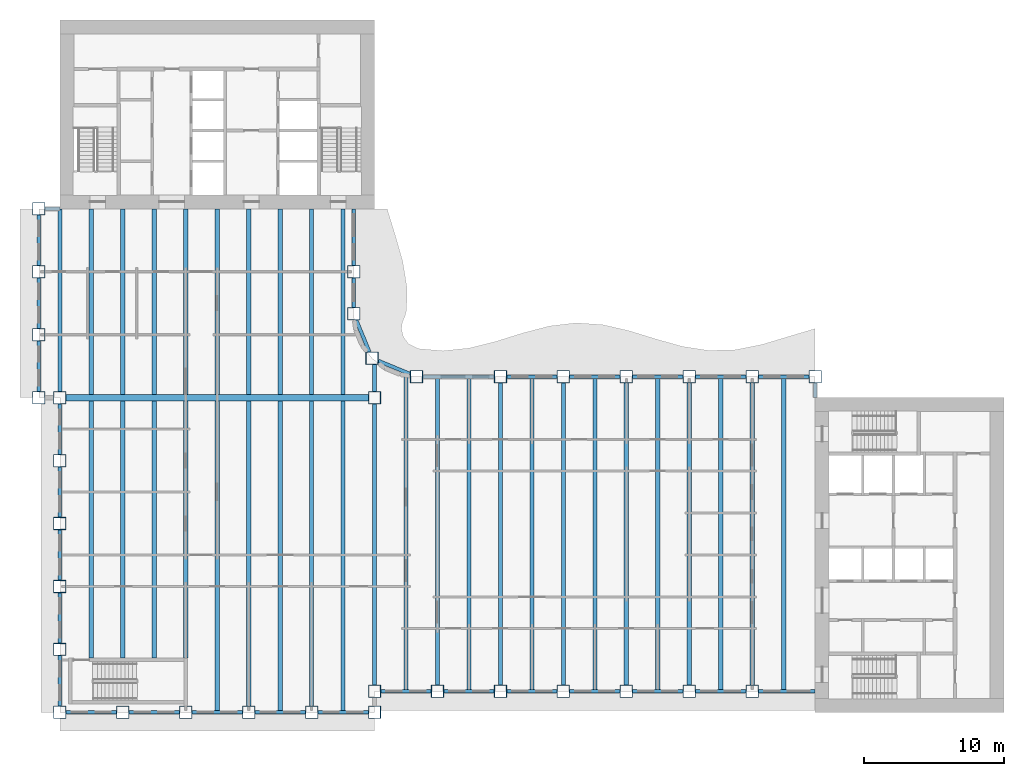
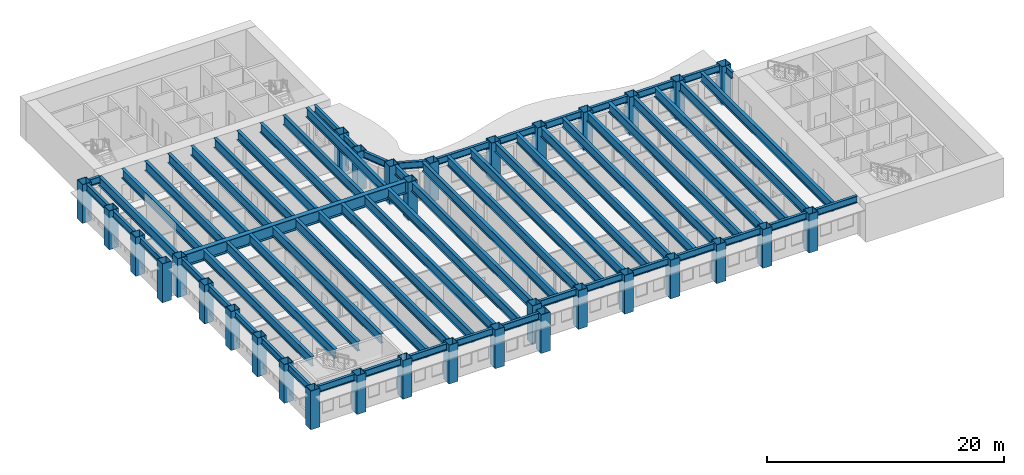
# One storey, part 1 of 16: 67 beams, 33 columns.
"""IFC4 building model written with IfcOpenShell, lengths in metres."""

from ifc_helpers import new_model, si_unit, direction, frame, origin, origin_2d, place, context, subcontext, project, spatial, hollow_rectangle, i_section, extrude, material, material_profile, profile_set, type_object, element, save


model = new_model("IFC4")

# Units and contexts
model_context = context("Model", 3, precision=1e-05, world=origin(), true_north=direction((0.0, 1.0)))
body_context = subcontext(model_context, "Body", "Model", "MODEL_VIEW")
ifc_project = project(units=[si_unit("LENGTHUNIT", "METRE"), si_unit("AREAUNIT", "SQUARE_METRE"), si_unit("VOLUMEUNIT", "CUBIC_METRE"), si_unit("PLANEANGLEUNIT", "RADIAN"), si_unit("MASSUNIT", "GRAM", prefix="KILO")], contexts=[model_context])

# Site, building, storey
site_placement = place(None, origin())
site = spatial("IfcSite", under=ifc_project, at=site_placement, CompositionType="ELEMENT")
building_placement = place(site_placement, origin())
building = spatial("IfcBuilding", under=site, at=building_placement, Name="Sennacour Bend Tower", CompositionType="ELEMENT")
storey_placement = place(building_placement, frame((0.0, 0.0, 163.0)))
storey = spatial("IfcBuildingStorey", under=building, at=storey_placement, Name="L37", CompositionType="ELEMENT", Elevation=163.0)

# Columns
ifc_material_1 = material(Name="Steel ASTM A572 Grade 50", Category="steel")
ifc_material_profile_1 = material_profile(ifc_material_1, hollow_rectangle(XDim=0.89990234375, YDim=0.89990234375, WallThickness=0.044921875, at=origin_2d()), Name="Steel ASTM A572 Grade 50", Category="steel")
ifc_profile_set_1 = profile_set([ifc_material_profile_1], Name="Steel ASTM A572 Grade 50")
column_type = type_object("IfcColumnType", Name="Box column 900", PredefinedType="COLUMN", material=ifc_profile_set_1)
for number, where, z_axis, x_axis, name in (
    (1, (-1.5, 22.5, -0.14990234375), (0.0, 0.0, 1.0), (1.0, 0.0, 0.0), "Perimeter column C3 L37-001"),
    (2, (-1.5, 27.0, -0.14990234375), (0.0, 0.0, 1.0), (1.0, 0.0, 0.0), "Perimeter column C3 L37-002"),
    (3, (-1.5, 31.5, -0.14990234375), (0.0, 0.0, 1.0), (1.0, 0.0, 0.0), "Perimeter column C3 L37-003"),
    (4, (-1.5, 36.0, -0.14990234375), (0.0, 0.0, 1.0), (1.0, 0.0, 0.0), "Perimeter column C3 L37-004"),
    (5, (0.0, 0.0, -0.14990234375), (0.0, 0.0, 1.0), (1.0, 0.0, 0.0), "Perimeter column C3 L37-005"),
    (6, (0.0, 4.5, -0.14990234375), (0.0, 0.0, 1.0), (1.0, 0.0, 0.0), "Perimeter column C3 L37-006"),
    (7, (0.0, 9.0, -0.14990234375), (0.0, 0.0, 1.0), (1.0, 0.0, 0.0), "Perimeter column C3 L37-007"),
    (8, (0.0, 13.5, -0.14990234375), (0.0, 0.0, 1.0), (1.0, 0.0, 0.0), "Perimeter column C3 L37-008"),
    (9, (0.0, 18.0, -0.14990234375), (0.0, 0.0, 1.0), (1.0, 0.0, 0.0), "Perimeter column C3 L37-009"),
    (10, (0.0, 22.5, -0.14990234375), (0.0, 0.0, 1.0), (1.0, 0.0, 0.0), "Perimeter column C3 L37-010"),
    (11, (4.5, 0.0, -0.14990234375), (0.0, 0.0, 1.0), (1.0, 0.0, 0.0), "Perimeter column C3 L37-011"),
    (12, (9.0, 0.0, -0.14990234375), (0.0, 0.0, 1.0), (1.0, 0.0, 0.0), "Perimeter column C3 L37-012"),
    (13, (13.5, 0.0, -0.14990234375), (0.0, 0.0, 1.0), (1.0, 0.0, 0.0), "Perimeter column C3 L37-013"),
    (14, (18.0, 0.0, -0.14990234375), (0.0, 0.0, 1.0), (1.0, 0.0, 0.0), "Perimeter column C3 L37-014"),
    (15, (21.0, 28.5, -0.14990234375), (0.0, 0.0, 1.0), (1.0, 0.0, 0.0), "Perimeter column C3 L37-015"),
    (16, (21.0, 31.5, -0.14990234375), (0.0, 0.0, 1.0), (1.0, 0.0, 0.0), "Perimeter column C3 L37-016"),
    (17, (22.318115234375, 25.318115234375, -0.14990234375), (0.0, 0.0, 1.0), (1.0, 0.0, 0.0), "Perimeter column C3 L37-017"),
    (18, (22.5, 0.0, -0.14990234375), (0.0, 0.0, 1.0), (1.0, 0.0, 0.0), "Perimeter column C3 L37-018"),
    (19, (22.5, 1.5, -0.14990234375), (0.0, 0.0, 1.0), (1.0, 0.0, 0.0), "Perimeter column C3 L37-019"),
    (20, (22.5, 22.5, -0.14990234375), (0.0, 0.0, 1.0), (1.0, 0.0, 0.0), "Knuckle column C3 L37-020"),
    (21, (25.5, 24.0, -0.14990234375), (0.0, 0.0, 1.0), (1.0, 0.0, 0.0), "Perimeter column C3 L37-021"),
    (22, (27.0, 1.5, -0.14990234375), (0.0, 0.0, 1.0), (1.0, 0.0, 0.0), "Perimeter column C3 L37-022"),
    (23, (31.5, 1.5, -0.14990234375), (0.0, 0.0, 1.0), (1.0, 0.0, 0.0), "Perimeter column C3 L37-023"),
    (24, (31.5, 24.0, -0.14990234375), (0.0, 0.0, 1.0), (1.0, 0.0, 0.0), "Perimeter column C3 L37-024"),
    (25, (36.0, 1.5, -0.14990234375), (0.0, 0.0, 1.0), (1.0, 0.0, 0.0), "Perimeter column C3 L37-025"),
    (26, (36.0, 24.0, -0.14990234375), (0.0, 0.0, 1.0), (1.0, 0.0, 0.0), "Perimeter column C3 L37-026"),
    (27, (40.5, 1.5, -0.14990234375), (0.0, 0.0, 1.0), (1.0, 0.0, 0.0), "Perimeter column C3 L37-027"),
    (28, (40.5, 24.0, -0.14990234375), (0.0, 0.0, 1.0), (1.0, 0.0, 0.0), "Perimeter column C3 L37-028"),
    (29, (45.0, 1.5, -0.14990234375), (0.0, 0.0, 1.0), (1.0, 0.0, 0.0), "Perimeter column C3 L37-029"),
    (30, (45.0, 24.0, -0.14990234375), (0.0, 0.0, 1.0), (1.0, 0.0, 0.0), "Perimeter column C3 L37-030"),
    (31, (49.5, 1.5, -0.14990234375), (0.0, 0.0, 1.0), (1.0, 0.0, 0.0), "Perimeter column C3 L37-031"),
    (32, (49.5, 24.0, -0.14990234375), (0.0, 0.0, 1.0), (1.0, 0.0, 0.0), "Perimeter column C3 L37-032"),
    (33, (54.0, 24.0, -0.14990234375), (0.0, 0.0, 1.0), (1.0, 0.0, 0.0), "Perimeter column C3 L37-033"),
):
    element("IfcColumn", number, at=place(storey_placement, frame(where, z_axis=z_axis, x_axis=x_axis)), inside=storey, type_object=column_type, Name=name, PredefinedType="COLUMN", context=body_context, shape_type="SweptSolid", body=[
        extrude(hollow_rectangle(XDim=0.89990234375, YDim=0.89990234375, WallThickness=0.044921875, at=origin_2d()), origin(), (0.0, 0.0, 1.0), 4.0),
    ])

# Beams
ifc_material_2 = material(Name="Steel ASTM A992 Grade 50", Category="steel")
ifc_material_profile_2 = material_profile(ifc_material_2, i_section(OverallWidth=0.300048828125, OverallDepth=0.97998046875, WebThickness=0.0166015625, FlangeThickness=0.026123046875, FilletRadius=0.02978515625, at=origin_2d()), Name="Steel ASTM A992 Grade 50", Category="steel")
ifc_profile_set_2 = profile_set([ifc_material_profile_2], Name="Steel ASTM A992 Grade 50")
beam_type_1 = type_object("IfcBeamType", Name="Floor beam W1000X249", PredefinedType="BEAM", material=ifc_profile_set_2)
beam_1_placement = place(storey_placement, frame((0.0, 22.949951171875, 3.360107421875), z_axis=(0.0, 1.0, 0.0), x_axis=(-1.0, 0.0, 0.0)))
element("IfcBeam", 34, at=beam_1_placement, inside=storey, type_object=beam_type_1, Name="Floor beam FBM2 L38-001", PredefinedType="BEAM", context=body_context, shape_type="SweptSolid", body=[
    extrude(i_section(OverallWidth=0.300048828125, OverallDepth=0.97998046875, WebThickness=0.0166015625, FlangeThickness=0.026123046875, FilletRadius=0.02978515625, at=origin_2d()), origin(), (0.0, 0.0, 1.0), 13.050048828125),
])
beam_2_placement = place(storey_placement, frame((2.25, 3.875, 3.360107421875), z_axis=(0.0, 1.0, 0.0), x_axis=(-1.0, 0.0, 0.0)))
element("IfcBeam", 35, at=beam_2_placement, inside=storey, type_object=beam_type_1, Name="Floor beam FBM2 L38-002", PredefinedType="BEAM", context=body_context, shape_type="SweptSolid", body=[
    extrude(i_section(OverallWidth=0.300048828125, OverallDepth=0.97998046875, WebThickness=0.0166015625, FlangeThickness=0.026123046875, FilletRadius=0.02978515625, at=origin_2d()), origin(), (0.0, 0.0, 1.0), 18.39990234375),
])
beam_3_placement = place(storey_placement, frame((2.25, 22.72509765625, 3.360107421875), z_axis=(0.0, 1.0, 0.0), x_axis=(-1.0, 0.0, 0.0)))
element("IfcBeam", 36, at=beam_3_placement, inside=storey, type_object=beam_type_1, Name="Floor beam FBM2 L38-003", PredefinedType="BEAM", context=body_context, shape_type="SweptSolid", body=[
    extrude(i_section(OverallWidth=0.300048828125, OverallDepth=0.97998046875, WebThickness=0.0166015625, FlangeThickness=0.026123046875, FilletRadius=0.02978515625, at=origin_2d()), origin(), (0.0, 0.0, 1.0), 13.27490234375),
])
beam_4_placement = place(storey_placement, frame((4.5, 3.875, 3.360107421875), z_axis=(0.0, 1.0, 0.0), x_axis=(-1.0, 0.0, 0.0)))
element("IfcBeam", 37, at=beam_4_placement, inside=storey, type_object=beam_type_1, Name="Floor beam FBM2 L38-004", PredefinedType="BEAM", context=body_context, shape_type="SweptSolid", body=[
    extrude(i_section(OverallWidth=0.300048828125, OverallDepth=0.97998046875, WebThickness=0.0166015625, FlangeThickness=0.026123046875, FilletRadius=0.02978515625, at=origin_2d()), origin(), (0.0, 0.0, 1.0), 18.39990234375),
])
beam_5_placement = place(storey_placement, frame((4.5, 22.72509765625, 3.360107421875), z_axis=(0.0, 1.0, 0.0), x_axis=(-1.0, 0.0, 0.0)))
element("IfcBeam", 38, at=beam_5_placement, inside=storey, type_object=beam_type_1, Name="Floor beam FBM2 L38-005", PredefinedType="BEAM", context=body_context, shape_type="SweptSolid", body=[
    extrude(i_section(OverallWidth=0.300048828125, OverallDepth=0.97998046875, WebThickness=0.0166015625, FlangeThickness=0.026123046875, FilletRadius=0.02978515625, at=origin_2d()), origin(), (0.0, 0.0, 1.0), 13.27490234375),
])
beam_6_placement = place(storey_placement, frame((6.75, 3.875, 3.360107421875), z_axis=(0.0, 1.0, 0.0), x_axis=(-1.0, 0.0, 0.0)))
element("IfcBeam", 39, at=beam_6_placement, inside=storey, type_object=beam_type_1, Name="Floor beam FBM2 L38-006", PredefinedType="BEAM", context=body_context, shape_type="SweptSolid", body=[
    extrude(i_section(OverallWidth=0.300048828125, OverallDepth=0.97998046875, WebThickness=0.0166015625, FlangeThickness=0.026123046875, FilletRadius=0.02978515625, at=origin_2d()), origin(), (0.0, 0.0, 1.0), 18.39990234375),
])
beam_7_placement = place(storey_placement, frame((6.75, 22.72509765625, 3.360107421875), z_axis=(0.0, 1.0, 0.0), x_axis=(-1.0, 0.0, 0.0)))
element("IfcBeam", 40, at=beam_7_placement, inside=storey, type_object=beam_type_1, Name="Floor beam FBM2 L38-007", PredefinedType="BEAM", context=body_context, shape_type="SweptSolid", body=[
    extrude(i_section(OverallWidth=0.300048828125, OverallDepth=0.97998046875, WebThickness=0.0166015625, FlangeThickness=0.026123046875, FilletRadius=0.02978515625, at=origin_2d()), origin(), (0.0, 0.0, 1.0), 13.27490234375),
])
beam_8_placement = place(storey_placement, frame((9.0, 3.875, 3.360107421875), z_axis=(0.0, 1.0, 0.0), x_axis=(-1.0, 0.0, 0.0)))
element("IfcBeam", 41, at=beam_8_placement, inside=storey, type_object=beam_type_1, Name="Floor beam FBM2 L38-008", PredefinedType="BEAM", context=body_context, shape_type="SweptSolid", body=[
    extrude(i_section(OverallWidth=0.300048828125, OverallDepth=0.97998046875, WebThickness=0.0166015625, FlangeThickness=0.026123046875, FilletRadius=0.02978515625, at=origin_2d()), origin(), (0.0, 0.0, 1.0), 18.39990234375),
])
beam_9_placement = place(storey_placement, frame((9.0, 22.72509765625, 3.360107421875), z_axis=(0.0, 1.0, 0.0), x_axis=(-1.0, 0.0, 0.0)))
element("IfcBeam", 42, at=beam_9_placement, inside=storey, type_object=beam_type_1, Name="Floor beam FBM2 L38-009", PredefinedType="BEAM", context=body_context, shape_type="SweptSolid", body=[
    extrude(i_section(OverallWidth=0.300048828125, OverallDepth=0.97998046875, WebThickness=0.0166015625, FlangeThickness=0.026123046875, FilletRadius=0.02978515625, at=origin_2d()), origin(), (0.0, 0.0, 1.0), 13.27490234375),
])
beam_10_placement = place(storey_placement, frame((11.25, 0.126953125, 3.360107421875), z_axis=(0.0, 1.0, 0.0), x_axis=(-1.0, 0.0, 0.0)))
element("IfcBeam", 43, at=beam_10_placement, inside=storey, type_object=beam_type_1, Name="Floor beam FBM2 L38-010", PredefinedType="BEAM", context=body_context, shape_type="SweptSolid", body=[
    extrude(i_section(OverallWidth=0.300048828125, OverallDepth=0.97998046875, WebThickness=0.0166015625, FlangeThickness=0.026123046875, FilletRadius=0.02978515625, at=origin_2d()), origin(), (0.0, 0.0, 1.0), 22.14794921875),
])
beam_11_placement = place(storey_placement, frame((11.25, 22.72509765625, 3.360107421875), z_axis=(0.0, 1.0, 0.0), x_axis=(-1.0, 0.0, 0.0)))
element("IfcBeam", 44, at=beam_11_placement, inside=storey, type_object=beam_type_1, Name="Floor beam FBM2 L38-011", PredefinedType="BEAM", context=body_context, shape_type="SweptSolid", body=[
    extrude(i_section(OverallWidth=0.300048828125, OverallDepth=0.97998046875, WebThickness=0.0166015625, FlangeThickness=0.026123046875, FilletRadius=0.02978515625, at=origin_2d()), origin(), (0.0, 0.0, 1.0), 13.27490234375),
])
beam_12_placement = place(storey_placement, frame((13.5, 0.449951171875, 3.360107421875), z_axis=(0.0, 1.0, 0.0), x_axis=(-1.0, 0.0, 0.0)))
element("IfcBeam", 45, at=beam_12_placement, inside=storey, type_object=beam_type_1, Name="Floor beam FBM2 L38-012", PredefinedType="BEAM", context=body_context, shape_type="SweptSolid", body=[
    extrude(i_section(OverallWidth=0.300048828125, OverallDepth=0.97998046875, WebThickness=0.0166015625, FlangeThickness=0.026123046875, FilletRadius=0.02978515625, at=origin_2d()), origin(), (0.0, 0.0, 1.0), 21.824951171875),
])
beam_13_placement = place(storey_placement, frame((13.5, 22.72509765625, 3.360107421875), z_axis=(0.0, 1.0, 0.0), x_axis=(-1.0, 0.0, 0.0)))
element("IfcBeam", 46, at=beam_13_placement, inside=storey, type_object=beam_type_1, Name="Floor beam FBM2 L38-013", PredefinedType="BEAM", context=body_context, shape_type="SweptSolid", body=[
    extrude(i_section(OverallWidth=0.300048828125, OverallDepth=0.97998046875, WebThickness=0.0166015625, FlangeThickness=0.026123046875, FilletRadius=0.02978515625, at=origin_2d()), origin(), (0.0, 0.0, 1.0), 13.27490234375),
])
beam_14_placement = place(storey_placement, frame((15.75, 0.126953125, 3.360107421875), z_axis=(0.0, 1.0, 0.0), x_axis=(-1.0, 0.0, 0.0)))
element("IfcBeam", 47, at=beam_14_placement, inside=storey, type_object=beam_type_1, Name="Floor beam FBM2 L38-014", PredefinedType="BEAM", context=body_context, shape_type="SweptSolid", body=[
    extrude(i_section(OverallWidth=0.300048828125, OverallDepth=0.97998046875, WebThickness=0.0166015625, FlangeThickness=0.026123046875, FilletRadius=0.02978515625, at=origin_2d()), origin(), (0.0, 0.0, 1.0), 22.14794921875),
])
beam_15_placement = place(storey_placement, frame((15.75, 22.72509765625, 3.360107421875), z_axis=(0.0, 1.0, 0.0), x_axis=(-1.0, 0.0, 0.0)))
element("IfcBeam", 48, at=beam_15_placement, inside=storey, type_object=beam_type_1, Name="Floor beam FBM2 L38-015", PredefinedType="BEAM", context=body_context, shape_type="SweptSolid", body=[
    extrude(i_section(OverallWidth=0.300048828125, OverallDepth=0.97998046875, WebThickness=0.0166015625, FlangeThickness=0.026123046875, FilletRadius=0.02978515625, at=origin_2d()), origin(), (0.0, 0.0, 1.0), 13.27490234375),
])
beam_16_placement = place(storey_placement, frame((18.0, 0.449951171875, 3.360107421875), z_axis=(0.0, 1.0, 0.0), x_axis=(-1.0, 0.0, 0.0)))
element("IfcBeam", 49, at=beam_16_placement, inside=storey, type_object=beam_type_1, Name="Floor beam FBM2 L38-016", PredefinedType="BEAM", context=body_context, shape_type="SweptSolid", body=[
    extrude(i_section(OverallWidth=0.300048828125, OverallDepth=0.97998046875, WebThickness=0.0166015625, FlangeThickness=0.026123046875, FilletRadius=0.02978515625, at=origin_2d()), origin(), (0.0, 0.0, 1.0), 21.824951171875),
])
beam_17_placement = place(storey_placement, frame((18.0, 22.72509765625, 3.360107421875), z_axis=(0.0, 1.0, 0.0), x_axis=(-1.0, 0.0, 0.0)))
element("IfcBeam", 50, at=beam_17_placement, inside=storey, type_object=beam_type_1, Name="Floor beam FBM2 L38-017", PredefinedType="BEAM", context=body_context, shape_type="SweptSolid", body=[
    extrude(i_section(OverallWidth=0.300048828125, OverallDepth=0.97998046875, WebThickness=0.0166015625, FlangeThickness=0.026123046875, FilletRadius=0.02978515625, at=origin_2d()), origin(), (0.0, 0.0, 1.0), 13.27490234375),
])
beam_18_placement = place(storey_placement, frame((20.25, 0.126953125, 3.360107421875), z_axis=(0.0, 1.0, 0.0), x_axis=(-1.0, 0.0, 0.0)))
element("IfcBeam", 51, at=beam_18_placement, inside=storey, type_object=beam_type_1, Name="Floor beam FBM2 L38-018", PredefinedType="BEAM", context=body_context, shape_type="SweptSolid", body=[
    extrude(i_section(OverallWidth=0.300048828125, OverallDepth=0.97998046875, WebThickness=0.0166015625, FlangeThickness=0.026123046875, FilletRadius=0.02978515625, at=origin_2d()), origin(), (0.0, 0.0, 1.0), 22.14794921875),
])
beam_19_placement = place(storey_placement, frame((20.25, 22.72509765625, 3.360107421875), z_axis=(0.0, 1.0, 0.0), x_axis=(-1.0, 0.0, 0.0)))
element("IfcBeam", 52, at=beam_19_placement, inside=storey, type_object=beam_type_1, Name="Floor beam FBM2 L38-019", PredefinedType="BEAM", context=body_context, shape_type="SweptSolid", body=[
    extrude(i_section(OverallWidth=0.300048828125, OverallDepth=0.97998046875, WebThickness=0.0166015625, FlangeThickness=0.026123046875, FilletRadius=0.02978515625, at=origin_2d()), origin(), (0.0, 0.0, 1.0), 13.27490234375),
])
beam_20_placement = place(storey_placement, frame((22.5, 1.949951171875, 3.360107421875), z_axis=(0.0, 1.0, 0.0), x_axis=(-1.0, 0.0, 0.0)))
element("IfcBeam", 53, at=beam_20_placement, inside=storey, type_object=beam_type_1, Name="Floor beam FBM2 L38-020", PredefinedType="BEAM", context=body_context, shape_type="SweptSolid", body=[
    extrude(i_section(OverallWidth=0.300048828125, OverallDepth=0.97998046875, WebThickness=0.0166015625, FlangeThickness=0.026123046875, FilletRadius=0.02978515625, at=origin_2d()), origin(), (0.0, 0.0, 1.0), 20.10009765625),
])
beam_21_placement = place(storey_placement, frame((22.5, 22.949951171875, 3.360107421875), z_axis=(0.0, 1.0, 0.0), x_axis=(-1.0, 0.0, 0.0)))
element("IfcBeam", 54, at=beam_21_placement, inside=storey, type_object=beam_type_1, Name="Floor beam FBM2 L38-021", PredefinedType="BEAM", context=body_context, shape_type="SweptSolid", body=[
    extrude(i_section(OverallWidth=0.300048828125, OverallDepth=0.97998046875, WebThickness=0.0166015625, FlangeThickness=0.026123046875, FilletRadius=0.02978515625, at=origin_2d()), origin(), (0.0, 0.0, 1.0), 1.91796875),
])
beam_22_placement = place(storey_placement, frame((24.75, 1.626953125, 3.360107421875), z_axis=(0.0, 1.0, 0.0), x_axis=(-1.0, 0.0, 0.0)))
element("IfcBeam", 55, at=beam_22_placement, inside=storey, type_object=beam_type_1, Name="Floor beam FBM2 L38-022", PredefinedType="BEAM", context=body_context, shape_type="SweptSolid", body=[
    extrude(i_section(OverallWidth=0.300048828125, OverallDepth=0.97998046875, WebThickness=0.0166015625, FlangeThickness=0.026123046875, FilletRadius=0.02978515625, at=origin_2d()), origin(), (0.0, 0.0, 1.0), 22.546142578125),
])
beam_23_placement = place(storey_placement, frame((27.0, 1.949951171875, 3.360107421875), z_axis=(0.0, 1.0, 0.0), x_axis=(-1.0, 0.0, 0.0)))
element("IfcBeam", 56, at=beam_23_placement, inside=storey, type_object=beam_type_1, Name="Floor beam FBM2 L38-023", PredefinedType="BEAM", context=body_context, shape_type="SweptSolid", body=[
    extrude(i_section(OverallWidth=0.300048828125, OverallDepth=0.97998046875, WebThickness=0.0166015625, FlangeThickness=0.026123046875, FilletRadius=0.02978515625, at=origin_2d()), origin(), (0.0, 0.0, 1.0), 21.923095703125),
])
beam_24_placement = place(storey_placement, frame((29.25, 1.626953125, 3.360107421875), z_axis=(0.0, 1.0, 0.0), x_axis=(-1.0, 0.0, 0.0)))
element("IfcBeam", 57, at=beam_24_placement, inside=storey, type_object=beam_type_1, Name="Floor beam FBM2 L38-024", PredefinedType="BEAM", context=body_context, shape_type="SweptSolid", body=[
    extrude(i_section(OverallWidth=0.300048828125, OverallDepth=0.97998046875, WebThickness=0.0166015625, FlangeThickness=0.026123046875, FilletRadius=0.02978515625, at=origin_2d()), origin(), (0.0, 0.0, 1.0), 22.24609375),
])
beam_25_placement = place(storey_placement, frame((31.5, 1.949951171875, 3.360107421875), z_axis=(0.0, 1.0, 0.0), x_axis=(-1.0, 0.0, 0.0)))
element("IfcBeam", 58, at=beam_25_placement, inside=storey, type_object=beam_type_1, Name="Floor beam FBM2 L38-025", PredefinedType="BEAM", context=body_context, shape_type="SweptSolid", body=[
    extrude(i_section(OverallWidth=0.300048828125, OverallDepth=0.97998046875, WebThickness=0.0166015625, FlangeThickness=0.026123046875, FilletRadius=0.02978515625, at=origin_2d()), origin(), (0.0, 0.0, 1.0), 21.60009765625),
])
beam_26_placement = place(storey_placement, frame((33.75, 1.626953125, 3.360107421875), z_axis=(0.0, 1.0, 0.0), x_axis=(-1.0, 0.0, 0.0)))
element("IfcBeam", 59, at=beam_26_placement, inside=storey, type_object=beam_type_1, Name="Floor beam FBM2 L38-026", PredefinedType="BEAM", context=body_context, shape_type="SweptSolid", body=[
    extrude(i_section(OverallWidth=0.300048828125, OverallDepth=0.97998046875, WebThickness=0.0166015625, FlangeThickness=0.026123046875, FilletRadius=0.02978515625, at=origin_2d()), origin(), (0.0, 0.0, 1.0), 22.24609375),
])
beam_27_placement = place(storey_placement, frame((36.0, 1.949951171875, 3.360107421875), z_axis=(0.0, 1.0, 0.0), x_axis=(-1.0, 0.0, 0.0)))
element("IfcBeam", 60, at=beam_27_placement, inside=storey, type_object=beam_type_1, Name="Floor beam FBM2 L38-027", PredefinedType="BEAM", context=body_context, shape_type="SweptSolid", body=[
    extrude(i_section(OverallWidth=0.300048828125, OverallDepth=0.97998046875, WebThickness=0.0166015625, FlangeThickness=0.026123046875, FilletRadius=0.02978515625, at=origin_2d()), origin(), (0.0, 0.0, 1.0), 21.60009765625),
])
beam_28_placement = place(storey_placement, frame((38.25, 1.626953125, 3.360107421875), z_axis=(0.0, 1.0, 0.0), x_axis=(-1.0, 0.0, 0.0)))
element("IfcBeam", 61, at=beam_28_placement, inside=storey, type_object=beam_type_1, Name="Floor beam FBM2 L38-028", PredefinedType="BEAM", context=body_context, shape_type="SweptSolid", body=[
    extrude(i_section(OverallWidth=0.300048828125, OverallDepth=0.97998046875, WebThickness=0.0166015625, FlangeThickness=0.026123046875, FilletRadius=0.02978515625, at=origin_2d()), origin(), (0.0, 0.0, 1.0), 22.24609375),
])
beam_29_placement = place(storey_placement, frame((40.5, 1.949951171875, 3.360107421875), z_axis=(0.0, 1.0, 0.0), x_axis=(-1.0, 0.0, 0.0)))
element("IfcBeam", 62, at=beam_29_placement, inside=storey, type_object=beam_type_1, Name="Floor beam FBM2 L38-029", PredefinedType="BEAM", context=body_context, shape_type="SweptSolid", body=[
    extrude(i_section(OverallWidth=0.300048828125, OverallDepth=0.97998046875, WebThickness=0.0166015625, FlangeThickness=0.026123046875, FilletRadius=0.02978515625, at=origin_2d()), origin(), (0.0, 0.0, 1.0), 21.60009765625),
])
beam_30_placement = place(storey_placement, frame((42.75, 1.626953125, 3.360107421875), z_axis=(0.0, 1.0, 0.0), x_axis=(-1.0, 0.0, 0.0)))
element("IfcBeam", 63, at=beam_30_placement, inside=storey, type_object=beam_type_1, Name="Floor beam FBM2 L38-030", PredefinedType="BEAM", context=body_context, shape_type="SweptSolid", body=[
    extrude(i_section(OverallWidth=0.300048828125, OverallDepth=0.97998046875, WebThickness=0.0166015625, FlangeThickness=0.026123046875, FilletRadius=0.02978515625, at=origin_2d()), origin(), (0.0, 0.0, 1.0), 22.24609375),
])
beam_31_placement = place(storey_placement, frame((45.0, 1.949951171875, 3.360107421875), z_axis=(0.0, 1.0, 0.0), x_axis=(-1.0, 0.0, 0.0)))
element("IfcBeam", 64, at=beam_31_placement, inside=storey, type_object=beam_type_1, Name="Floor beam FBM2 L38-031", PredefinedType="BEAM", context=body_context, shape_type="SweptSolid", body=[
    extrude(i_section(OverallWidth=0.300048828125, OverallDepth=0.97998046875, WebThickness=0.0166015625, FlangeThickness=0.026123046875, FilletRadius=0.02978515625, at=origin_2d()), origin(), (0.0, 0.0, 1.0), 21.60009765625),
])
beam_32_placement = place(storey_placement, frame((47.25, 1.626953125, 3.360107421875), z_axis=(0.0, 1.0, 0.0), x_axis=(-1.0, 0.0, 0.0)))
element("IfcBeam", 65, at=beam_32_placement, inside=storey, type_object=beam_type_1, Name="Floor beam FBM2 L38-032", PredefinedType="BEAM", context=body_context, shape_type="SweptSolid", body=[
    extrude(i_section(OverallWidth=0.300048828125, OverallDepth=0.97998046875, WebThickness=0.0166015625, FlangeThickness=0.026123046875, FilletRadius=0.02978515625, at=origin_2d()), origin(), (0.0, 0.0, 1.0), 22.24609375),
])
beam_33_placement = place(storey_placement, frame((49.5, 1.949951171875, 3.360107421875), z_axis=(0.0, 1.0, 0.0), x_axis=(-1.0, 0.0, 0.0)))
element("IfcBeam", 66, at=beam_33_placement, inside=storey, type_object=beam_type_1, Name="Floor beam FBM2 L38-033", PredefinedType="BEAM", context=body_context, shape_type="SweptSolid", body=[
    extrude(i_section(OverallWidth=0.300048828125, OverallDepth=0.97998046875, WebThickness=0.0166015625, FlangeThickness=0.026123046875, FilletRadius=0.02978515625, at=origin_2d()), origin(), (0.0, 0.0, 1.0), 21.60009765625),
])
beam_34_placement = place(storey_placement, frame((51.75, 1.626953125, 3.360107421875), z_axis=(0.0, 1.0, 0.0), x_axis=(-1.0, 0.0, 0.0)))
element("IfcBeam", 67, at=beam_34_placement, inside=storey, type_object=beam_type_1, Name="Floor beam FBM2 L38-034", PredefinedType="BEAM", context=body_context, shape_type="SweptSolid", body=[
    extrude(i_section(OverallWidth=0.300048828125, OverallDepth=0.97998046875, WebThickness=0.0166015625, FlangeThickness=0.026123046875, FilletRadius=0.02978515625, at=origin_2d()), origin(), (0.0, 0.0, 1.0), 22.24609375),
])
ifc_material_profile_3 = material_profile(ifc_material_1, i_section(OverallWidth=0.449951171875, OverallDepth=1.25, WebThickness=0.028076171875, FlangeThickness=0.050048828125, at=origin_2d()), Name="Steel ASTM A572 Grade 50", Category="steel")
ifc_profile_set_3 = profile_set([ifc_material_profile_3], Name="Steel ASTM A572 Grade 50")
beam_type_2 = type_object("IfcBeamType", Name="Knuckle girder 1250", PredefinedType="USERDEFINED", material=ifc_profile_set_3)
beam_35_placement = place(storey_placement, frame((0.449951171875, 22.5, 3.22509765625), z_axis=(1.0, 0.0, 0.0), x_axis=(0.0, 1.0, 0.0)))
element("IfcBeam", 68, at=beam_35_placement, inside=storey, type_object=beam_type_2, Name="Knuckle girder GK L38-001", ObjectType="KNUCKLE GIRDER", PredefinedType="USERDEFINED", context=body_context, shape_type="SweptSolid", body=[
    extrude(i_section(OverallWidth=0.449951171875, OverallDepth=1.25, WebThickness=0.028076171875, FlangeThickness=0.050048828125, at=origin_2d()), origin(), (0.0, 0.0, 1.0), 21.60009765625),
])
ifc_material_profile_4 = material_profile(ifc_material_2, i_section(OverallWidth=0.25390625, OverallDepth=0.700927734375, WebThickness=0.015380859375, FlangeThickness=0.02783203125, FilletRadius=0.015380859375, at=origin_2d()), Name="Steel ASTM A992 Grade 50", Category="steel")
ifc_profile_set_4 = profile_set([ifc_material_profile_4], Name="Steel ASTM A992 Grade 50")
beam_type_3 = type_object("IfcBeamType", Name="Spandrel beam W690X192", PredefinedType="SPANDREL", material=ifc_profile_set_4)
for number, where, z_axis, x_axis, name in (
    (69, (0.0, 0.449951171875, 3.49951171875), (0.0, 1.0, 0.0), (-1.0, 0.0, 0.0), "Spandrel beam SP4 L38-001"),
    (70, (0.0, 4.949951171875, 3.49951171875), (0.0, 1.0, 0.0), (-1.0, 0.0, 0.0), "Spandrel beam SP4 L38-002"),
    (71, (0.0, 9.449951171875, 3.49951171875), (0.0, 1.0, 0.0), (-1.0, 0.0, 0.0), "Spandrel beam SP4 L38-003"),
    (72, (0.0, 13.949951171875, 3.49951171875), (0.0, 1.0, 0.0), (-1.0, 0.0, 0.0), "Spandrel beam SP4 L38-004"),
    (73, (0.0, 18.449951171875, 3.49951171875), (0.0, 1.0, 0.0), (-1.0, 0.0, 0.0), "Spandrel beam SP4 L38-005"),
    (74, (-1.5, 22.949951171875, 3.49951171875), (0.0, 1.0, 0.0), (-1.0, 0.0, 0.0), "Spandrel beam SP4 L38-006"),
    (75, (-1.5, 27.449951171875, 3.49951171875), (0.0, 1.0, 0.0), (-1.0, 0.0, 0.0), "Spandrel beam SP4 L38-007"),
    (76, (-1.5, 31.949951171875, 3.49951171875), (0.0, 1.0, 0.0), (-1.0, 0.0, 0.0), "Spandrel beam SP4 L38-008"),
):
    element("IfcBeam", number, at=place(storey_placement, frame(where, z_axis=z_axis, x_axis=x_axis)), inside=storey, type_object=beam_type_3, Name=name, PredefinedType="SPANDREL", context=body_context, shape_type="SweptSolid", body=[
        extrude(i_section(OverallWidth=0.25390625, OverallDepth=0.700927734375, WebThickness=0.015380859375, FlangeThickness=0.02783203125, FilletRadius=0.015380859375, at=origin_2d()), origin(), (0.0, 0.0, 1.0), 3.60009765625),
    ])
beam_36_placement = place(storey_placement, frame((-1.050048828125, 36.0, 3.49951171875), z_axis=(1.0, 0.0, 0.0), x_axis=(0.0, 1.0, 0.0)))
element("IfcBeam", 77, at=beam_36_placement, inside=storey, type_object=beam_type_3, Name="Spandrel beam SP4 L38-009", PredefinedType="SPANDREL", context=body_context, shape_type="SweptSolid", body=[
    extrude(i_section(OverallWidth=0.25390625, OverallDepth=0.700927734375, WebThickness=0.015380859375, FlangeThickness=0.02783203125, FilletRadius=0.015380859375, at=origin_2d()), origin(), (0.0, 0.0, 1.0), 1.050048828125),
])
beam_37_placement = place(storey_placement, frame((21.0, 36.0, 3.49951171875), z_axis=(0.0, -1.0, 0.0), x_axis=(1.0, 0.0, 0.0)))
element("IfcBeam", 78, at=beam_37_placement, inside=storey, type_object=beam_type_3, Name="Spandrel beam SP4 L38-010", PredefinedType="SPANDREL", context=body_context, shape_type="SweptSolid", body=[
    extrude(i_section(OverallWidth=0.25390625, OverallDepth=0.700927734375, WebThickness=0.015380859375, FlangeThickness=0.02783203125, FilletRadius=0.015380859375, at=origin_2d()), origin(), (0.0, 0.0, 1.0), 4.050048828125),
])
beam_38_placement = place(storey_placement, frame((21.0, 31.050048828125, 3.49951171875), z_axis=(0.0, -1.0, 0.0), x_axis=(1.0, 0.0, 0.0)))
element("IfcBeam", 79, at=beam_38_placement, inside=storey, type_object=beam_type_3, Name="Spandrel beam SP4 L38-011", PredefinedType="SPANDREL", context=body_context, shape_type="SweptSolid", body=[
    extrude(i_section(OverallWidth=0.25390625, OverallDepth=0.700927734375, WebThickness=0.015380859375, FlangeThickness=0.02783203125, FilletRadius=0.015380859375, at=origin_2d()), origin(), (0.0, 0.0, 1.0), 2.10009765625),
])
for number, where, z_axis, x_axis, name in (
    (80, (21.186279296875, 28.050048828125, 3.49951171875), (0.382712608723, -0.923867446728, 0.0), (0.923867446728, 0.382712608723, 0.0), "Spandrel beam SP4 L38-012"),
    (81, (22.76806640625, 25.131591796875, 3.49951171875), (0.923867446728, -0.382712608723, 0.0), (0.382712608723, 0.923867446728, 0.0), "Spandrel beam SP4 L38-013"),
):
    element("IfcBeam", number, at=place(storey_placement, frame(where, z_axis=z_axis, x_axis=x_axis)), inside=storey, type_object=beam_type_3, Name=name, PredefinedType="SPANDREL", context=body_context, shape_type="SweptSolid", body=[
        extrude(i_section(OverallWidth=0.25390625, OverallDepth=0.700927734375, WebThickness=0.015380859375, FlangeThickness=0.02783203125, FilletRadius=0.015380859375, at=origin_2d()), origin(), (0.0, 0.0, 1.0), 2.469970703125),
    ])
beam_39_placement = place(storey_placement, frame((25.949951171875, 24.0, 3.49951171875), z_axis=(1.0, 0.0, 0.0), x_axis=(0.0, 1.0, 0.0)))
element("IfcBeam", 82, at=beam_39_placement, inside=storey, type_object=beam_type_3, Name="Spandrel beam SP4 L38-014", PredefinedType="SPANDREL", context=body_context, shape_type="SweptSolid", body=[
    extrude(i_section(OverallWidth=0.25390625, OverallDepth=0.700927734375, WebThickness=0.015380859375, FlangeThickness=0.02783203125, FilletRadius=0.015380859375, at=origin_2d()), origin(), (0.0, 0.0, 1.0), 5.10009765625),
])
for number, where, z_axis, x_axis, name in (
    (83, (31.949951171875, 24.0, 3.49951171875), (1.0, 0.0, 0.0), (0.0, 1.0, 0.0), "Spandrel beam SP4 L38-015"),
    (84, (36.449951171875, 24.0, 3.49951171875), (1.0, 0.0, 0.0), (0.0, 1.0, 0.0), "Spandrel beam SP4 L38-016"),
    (85, (40.949951171875, 24.0, 3.49951171875), (1.0, 0.0, 0.0), (0.0, 1.0, 0.0), "Spandrel beam SP4 L38-017"),
    (86, (45.449951171875, 24.0, 3.49951171875), (1.0, 0.0, 0.0), (0.0, 1.0, 0.0), "Spandrel beam SP4 L38-018"),
    (87, (49.949951171875, 24.0, 3.49951171875), (1.0, 0.0, 0.0), (0.0, 1.0, 0.0), "Spandrel beam SP4 L38-019"),
):
    element("IfcBeam", number, at=place(storey_placement, frame(where, z_axis=z_axis, x_axis=x_axis)), inside=storey, type_object=beam_type_3, Name=name, PredefinedType="SPANDREL", context=body_context, shape_type="SweptSolid", body=[
        extrude(i_section(OverallWidth=0.25390625, OverallDepth=0.700927734375, WebThickness=0.015380859375, FlangeThickness=0.02783203125, FilletRadius=0.015380859375, at=origin_2d()), origin(), (0.0, 0.0, 1.0), 3.60009765625),
    ])
beam_40_placement = place(storey_placement, frame((54.0, 23.550048828125, 3.49951171875), z_axis=(0.0, -1.0, 0.0), x_axis=(1.0, 0.0, 0.0)))
element("IfcBeam", 88, at=beam_40_placement, inside=storey, type_object=beam_type_3, Name="Spandrel beam SP4 L38-020", PredefinedType="SPANDREL", context=body_context, shape_type="SweptSolid", body=[
    extrude(i_section(OverallWidth=0.25390625, OverallDepth=0.700927734375, WebThickness=0.015380859375, FlangeThickness=0.02783203125, FilletRadius=0.015380859375, at=origin_2d()), origin(), (0.0, 0.0, 1.0), 1.050048828125),
])
beam_41_placement = place(storey_placement, frame((54.0, 1.5, 3.49951171875), z_axis=(-1.0, 0.0, 0.0), x_axis=(0.0, -1.0, 0.0)))
element("IfcBeam", 89, at=beam_41_placement, inside=storey, type_object=beam_type_3, Name="Spandrel beam SP4 L38-021", PredefinedType="SPANDREL", context=body_context, shape_type="SweptSolid", body=[
    extrude(i_section(OverallWidth=0.25390625, OverallDepth=0.700927734375, WebThickness=0.015380859375, FlangeThickness=0.02783203125, FilletRadius=0.015380859375, at=origin_2d()), origin(), (0.0, 0.0, 1.0), 4.050048828125),
])
for number, where, z_axis, x_axis, name in (
    (90, (49.050048828125, 1.5, 3.49951171875), (-1.0, 0.0, 0.0), (0.0, -1.0, 0.0), "Spandrel beam SP4 L38-022"),
    (91, (44.550048828125, 1.5, 3.49951171875), (-1.0, 0.0, 0.0), (0.0, -1.0, 0.0), "Spandrel beam SP4 L38-023"),
    (92, (40.050048828125, 1.5, 3.49951171875), (-1.0, 0.0, 0.0), (0.0, -1.0, 0.0), "Spandrel beam SP4 L38-024"),
    (93, (35.550048828125, 1.5, 3.49951171875), (-1.0, 0.0, 0.0), (0.0, -1.0, 0.0), "Spandrel beam SP4 L38-025"),
    (94, (31.050048828125, 1.5, 3.49951171875), (-1.0, 0.0, 0.0), (0.0, -1.0, 0.0), "Spandrel beam SP4 L38-026"),
    (95, (26.550048828125, 1.5, 3.49951171875), (-1.0, 0.0, 0.0), (0.0, -1.0, 0.0), "Spandrel beam SP4 L38-027"),
    (96, (22.050048828125, 0.0, 3.49951171875), (-1.0, 0.0, 0.0), (0.0, -1.0, 0.0), "Spandrel beam SP4 L38-028"),
    (97, (17.550048828125, 0.0, 3.49951171875), (-1.0, 0.0, 0.0), (0.0, -1.0, 0.0), "Spandrel beam SP4 L38-029"),
    (98, (13.050048828125, 0.0, 3.49951171875), (-1.0, 0.0, 0.0), (0.0, -1.0, 0.0), "Spandrel beam SP4 L38-030"),
    (99, (8.550048828125, 0.0, 3.49951171875), (-1.0, 0.0, 0.0), (0.0, -1.0, 0.0), "Spandrel beam SP4 L38-031"),
    (100, (4.050048828125, 0.0, 3.49951171875), (-1.0, 0.0, 0.0), (0.0, -1.0, 0.0), "Spandrel beam SP4 L38-032"),
):
    element("IfcBeam", number, at=place(storey_placement, frame(where, z_axis=z_axis, x_axis=x_axis)), inside=storey, type_object=beam_type_3, Name=name, PredefinedType="SPANDREL", context=body_context, shape_type="SweptSolid", body=[
        extrude(i_section(OverallWidth=0.25390625, OverallDepth=0.700927734375, WebThickness=0.015380859375, FlangeThickness=0.02783203125, FilletRadius=0.015380859375, at=origin_2d()), origin(), (0.0, 0.0, 1.0), 3.60009765625),
    ])

save(model, "model.ifc")
